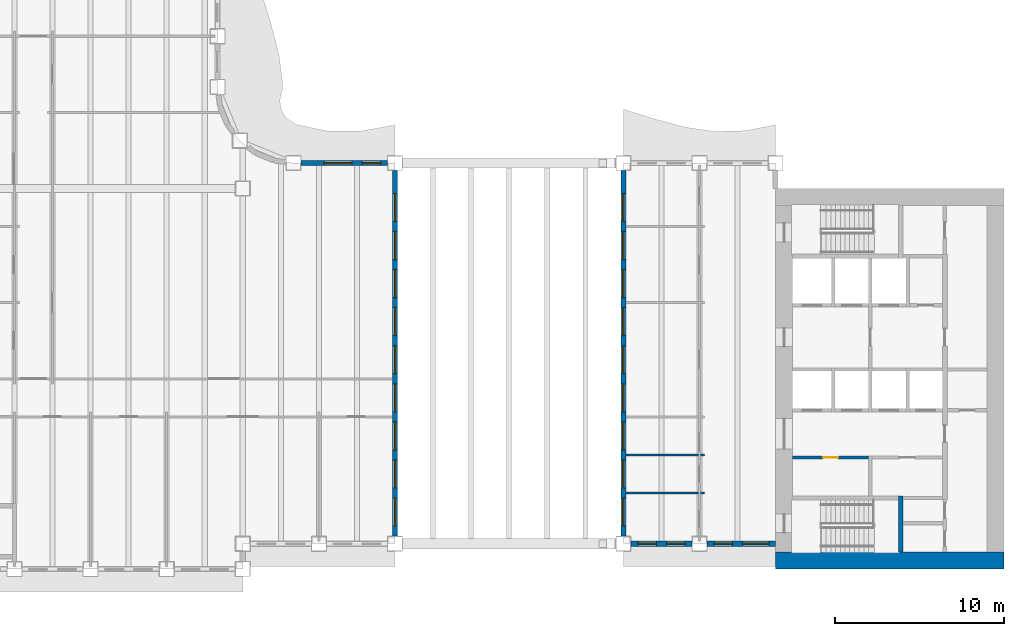
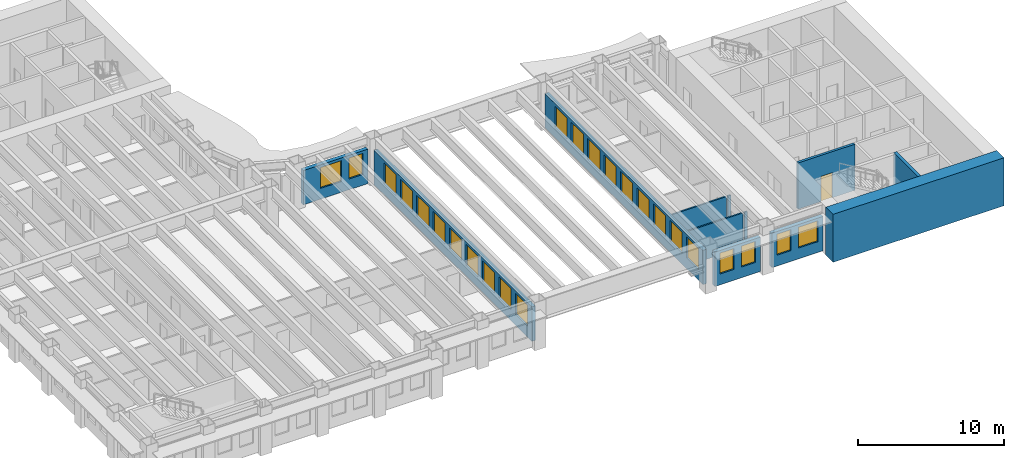
# One storey, part 5 of 13: 24 windows, 12 walls, 1 door, 25 openings.
"""IFC4 building model written with IfcOpenShell, lengths in metres."""

from ifc_helpers import new_model, si_unit, direction, frame, frame_2d, origin, place, context, subcontext, project, spatial, rectangle, extrude, material, layer, layer_set, type_object, element, fill, save


model = new_model("IFC4")

# Units and contexts
model_context = context("Model", 3, precision=1e-05, world=origin(), true_north=direction((0.0, 1.0)))
body_context = subcontext(model_context, "Body", "Model", "MODEL_VIEW")
ifc_project = project(units=[si_unit("LENGTHUNIT", "METRE"), si_unit("AREAUNIT", "SQUARE_METRE"), si_unit("VOLUMEUNIT", "CUBIC_METRE"), si_unit("PLANEANGLEUNIT", "RADIAN"), si_unit("MASSUNIT", "GRAM", prefix="KILO")], contexts=[model_context])

# Site, building, storey
site_placement = place(None, origin())
site = spatial("IfcSite", under=ifc_project, at=site_placement, CompositionType="ELEMENT")
building_placement = place(site_placement, origin())
building = spatial("IfcBuilding", under=site, at=building_placement, Name="Sennacour Bend Tower", CompositionType="ELEMENT")
storey_placement = place(building_placement, frame((0.0, 0.0, 147.0)))
storey = spatial("IfcBuildingStorey", under=building, at=storey_placement, Name="L33", CompositionType="ELEMENT", Elevation=147.0)

# Walls
ifc_material_1 = material(Name="Concrete C60/75", Category="concrete")
ifc_layer_1 = layer(ifc_material_1, 1.0, Name="Concrete C60/75", Category="concrete")
ifc_layer_set_1 = layer_set([ifc_layer_1], Name="Concrete C60/75")
wall_type_1 = type_object("IfcWallType", Name="Core wall 1000 C60/75", PredefinedType="SHEAR", material=ifc_layer_set_1)
wall_1_placement = place(storey_placement, frame((67.5, 0.5, -0.14990234375), z_axis=(0.0, 0.0, 1.0), x_axis=(-1.0, 0.0, 0.0)))
element("IfcWall", 1, at=wall_1_placement, inside=storey, type_object=wall_type_1, Name="Core A wall L33 S", PredefinedType="SHEAR", context=body_context, shape_type="SweptSolid", body=[
    extrude(rectangle(XDim=13.5, YDim=1.0, at=frame_2d((6.75, 0.0))), origin(), (0.0, 0.0, 1.0), 4.0),
])
ifc_material_2 = material(Name="Plasterboard partition on steel studs", Category="steel")
ifc_layer_2 = layer(ifc_material_2, 0.1201171875, Name="Plasterboard partition on steel studs", Category="steel")
ifc_layer_set_2 = layer_set([ifc_layer_2], Name="Plasterboard partition on steel studs")
wall_type_2 = type_object("IfcWallType", Name="Partition 120", PredefinedType="PARTITIONING", material=ifc_layer_set_2)
wall_2_placement = place(storey_placement, frame((45.14990234375, 4.5, 0.0), z_axis=(0.0, 0.0, 1.0), x_axis=(1.0, 0.0, 0.0)))
element("IfcWall", 2, at=wall_2_placement, inside=storey, type_object=wall_type_2, Name="P-L33-W053aa", PredefinedType="PARTITIONING", context=body_context, shape_type="SweptSolid", body=[
    extrude(rectangle(XDim=4.2900390625, YDim=0.1201171875, at=frame_2d((2.14501953125, 0.0))), origin(), (0.0, 0.0, 1.0), 2.8701171875),
])
wall_3_placement = place(storey_placement, frame((49.56005859375, 4.5, 0.0), z_axis=(0.0, 0.0, 1.0), x_axis=(1.0, 0.0, 0.0)))
element("IfcWall", 3, at=wall_3_placement, inside=storey, type_object=wall_type_2, Name="P-L33-W053ab", PredefinedType="PARTITIONING", context=body_context, shape_type="SweptSolid", body=[
    extrude(rectangle(XDim=0.239990234375, YDim=0.1201171875, at=frame_2d((0.1201171875, 0.0))), origin(), (0.0, 0.0, 1.0), 2.8701171875),
])
wall_4_placement = place(storey_placement, frame((45.14990234375, 6.75, 0.0), z_axis=(0.0, 0.0, 1.0), x_axis=(1.0, 0.0, 0.0)))
element("IfcWall", 4, at=wall_4_placement, inside=storey, type_object=wall_type_2, Name="P-L33-W055aa", PredefinedType="PARTITIONING", context=body_context, shape_type="SweptSolid", body=[
    extrude(rectangle(XDim=4.2900390625, YDim=0.1201171875, at=frame_2d((2.14501953125, 0.0))), origin(), (0.0, 0.0, 1.0), 2.8701171875),
])
wall_5_placement = place(storey_placement, frame((49.56005859375, 6.75, 0.0), z_axis=(0.0, 0.0, 1.0), x_axis=(1.0, 0.0, 0.0)))
element("IfcWall", 5, at=wall_5_placement, inside=storey, type_object=wall_type_2, Name="P-L33-W055ab", PredefinedType="PARTITIONING", context=body_context, shape_type="SweptSolid", body=[
    extrude(rectangle(XDim=0.239990234375, YDim=0.1201171875, at=frame_2d((0.1201171875, 0.0))), origin(), (0.0, 0.0, 1.0), 2.8701171875),
])

# Wall, opening, door
ifc_material_3 = material(Name="Fire-rated plasterboard partition on steel studs", Category="steel")
ifc_layer_3 = layer(ifc_material_3, 0.199951171875, Name="Fire-rated plasterboard partition on steel studs", Category="steel")
ifc_layer_set_3 = layer_set([ifc_layer_3], Name="Fire-rated plasterboard partition on steel studs")
wall_type_3 = type_object("IfcWallType", Name="Rated partition 200", PredefinedType="PARTITIONING", material=ifc_layer_set_3)
wall_6_placement = place(storey_placement, frame((55.0, 6.60009765625, 0.0), z_axis=(0.0, 0.0, 1.0), x_axis=(1.0, 0.0, 0.0)))
wall_6 = element("IfcWall", 6, at=wall_6_placement, inside=storey, type_object=wall_type_3, Name="P-L33-W054a", PredefinedType="PARTITIONING", context=body_context, shape_type="SweptSolid", body=[
    extrude(rectangle(XDim=4.5, YDim=0.199951171875, at=frame_2d((2.25, 0.0))), origin(), (0.0, 0.0, 1.0), 3.85009765625),
])
opening_1_placement = place(wall_6_placement, frame((1.800048828125, 0.0, 0.0)))
opening_1 = element("IfcOpeningElement", 7, at=opening_1_placement, cuts=wall_6, Name="Opening SV", PredefinedType="OPENING", context=body_context, shape_type="SweptSolid", body=[
    extrude(rectangle(XDim=0.89990234375, YDim=2.10009765625, at=frame_2d((0.449951171875, 1.050048828125))), frame((0.0, 0.10986328125, 0.0), z_axis=(0.0, -1.0, 0.0), x_axis=(1.0, 0.0, 0.0)), (0.0, 0.0, 1.0), 0.219970703125),
])
ifc_material_4 = material(Name="Painted steel", Category="steel")
door_type = type_object("IfcDoorType", Name="DR-SERVICE-900", OperationType="NOTDEFINED", PredefinedType="DOOR", material=ifc_material_4)
door_placement = place(opening_1_placement, origin())
door = element("IfcDoor", 8, at=door_placement, inside=storey, type_object=door_type, Name="Door", OperationType="SINGLE_SWING_LEFT", OverallHeight=2.10009765625, OverallWidth=0.89990234375, PredefinedType="DOOR", context=body_context, shape_type="SweptSolid", body=[
    extrude(rectangle(XDim=0.89990234375, YDim=2.10009765625, at=frame_2d((0.449951171875, 1.050048828125))), frame((0.0, 0.02490234375, 0.0), z_axis=(0.0, -1.0, 0.0), x_axis=(1.0, 0.0, 0.0)), (0.0, 0.0, 1.0), 0.050048828125),
])
fill(opening_1, door)

# Wall, openings, windows
ifc_material_5 = material(Name="Warm limestone cladding", Category="masonry")
ifc_layer_4 = layer(ifc_material_5, 0.050048828125, Name="Warm limestone cladding", Category="masonry")
ifc_material_6 = material(Name="Precast concrete C40/50", Category="concrete")
ifc_layer_5 = layer(ifc_material_6, 0.25, Name="Precast concrete C40/50", Category="concrete")
ifc_layer_set_4 = layer_set([ifc_layer_4, ifc_layer_5], Name="Precast concrete C40/50 with limestone cladding")
wall_type_4 = type_object("IfcWallType", Name="STONE-CLAD PRECAST SPANDREL 300", PredefinedType="STANDARD", material=ifc_layer_set_4)
wall_7_placement = place(storey_placement, frame((45.449951171875, 1.5, 0.0), z_axis=(0.0, 0.0, 1.0), x_axis=(1.0, 0.0, 0.0)))
wall_7 = element("IfcWall", 9, at=wall_7_placement, inside=storey, type_object=wall_type_4, Name="Stone spandrel and pier wall L33 00.00", PredefinedType="STANDARD", context=body_context, shape_type="SweptSolid", body=[
    extrude(rectangle(XDim=3.60009765625, YDim=0.300048828125, at=frame_2d((1.800048828125, 0.0))), origin(), (0.0, 0.0, 1.0), 2.8701171875),
])
opening_2_placement = place(wall_7_placement, frame((0.39990234375, 0.0, 0.89990234375)))
opening_2 = element("IfcOpeningElement", 10, at=opening_2_placement, cuts=wall_7, Name="Opening W17", PredefinedType="OPENING", context=body_context, shape_type="SweptSolid", body=[
    extrude(rectangle(XDim=1.10009765625, YDim=1.75, at=frame_2d((0.550048828125, 0.875))), frame((0.0, 0.16015625, 0.0), z_axis=(0.0, -1.0, 0.0), x_axis=(1.0, 0.0, 0.0)), (0.0, 0.0, 1.0), 0.320068359375),
])
opening_3_placement = place(wall_7_placement, frame((2.10009765625, 0.0, 0.89990234375)))
opening_3 = element("IfcOpeningElement", 11, at=opening_3_placement, cuts=wall_7, Name="Opening W17", PredefinedType="OPENING", context=body_context, shape_type="SweptSolid", body=[
    extrude(rectangle(XDim=1.10009765625, YDim=1.75, at=frame_2d((0.550048828125, 0.875))), frame((0.0, 0.16015625, 0.0), z_axis=(0.0, -1.0, 0.0), x_axis=(1.0, 0.0, 0.0)), (0.0, 0.0, 1.0), 0.320068359375),
])
ifc_material_7 = material(Name="Clear low-emissivity glass", Category="glass")
window_type_1 = type_object("IfcWindowType", Name="WIN-RIBBON-1100x1750", PartitioningType="SINGLE_PANEL", PredefinedType="WINDOW", material=ifc_material_7)
window_1_placement = place(opening_2_placement, origin())
window_1 = element("IfcWindow", 12, at=window_1_placement, inside=storey, type_object=window_type_1, Name="Ribbon window L33 00.00.0", OverallHeight=1.75, OverallWidth=1.10009765625, PartitioningType="SINGLE_PANEL", PredefinedType="WINDOW", context=body_context, shape_type="SweptSolid", body=[
    extrude(rectangle(XDim=1.10009765625, YDim=1.75, at=frame_2d((0.550048828125, 0.875))), frame((0.0, 0.030029296875, 0.0), z_axis=(0.0, -1.0, 0.0), x_axis=(1.0, 0.0, 0.0)), (0.0, 0.0, 1.0), 0.06005859375),
])
fill(opening_2, window_1)
window_2_placement = place(opening_3_placement, origin())
window_2 = element("IfcWindow", 13, at=window_2_placement, inside=storey, type_object=window_type_1, Name="Ribbon window L33 00.00.1", OverallHeight=1.75, OverallWidth=1.10009765625, PartitioningType="SINGLE_PANEL", PredefinedType="WINDOW", context=body_context, shape_type="SweptSolid", body=[
    extrude(rectangle(XDim=1.10009765625, YDim=1.75, at=frame_2d((0.550048828125, 0.875))), frame((0.0, 0.030029296875, 0.0), z_axis=(0.0, -1.0, 0.0), x_axis=(1.0, 0.0, 0.0)), (0.0, 0.0, 1.0), 0.06005859375),
])
fill(opening_3, window_2)

wall_8_placement = place(storey_placement, frame((49.949951171875, 1.5, 0.0), z_axis=(0.0, 0.0, 1.0), x_axis=(1.0, 0.0, 0.0)))
wall_8 = element("IfcWall", 14, at=wall_8_placement, inside=storey, type_object=wall_type_4, Name="Stone spandrel and pier wall L33 00.01", PredefinedType="STANDARD", context=body_context, shape_type="SweptSolid", body=[
    extrude(rectangle(XDim=4.050048828125, YDim=0.300048828125, at=frame_2d((2.02490234375, 0.0))), origin(), (0.0, 0.0, 1.0), 2.8701171875),
])
opening_4_placement = place(wall_8_placement, frame((0.39990234375, 0.0, 0.89990234375)))
opening_4 = element("IfcOpeningElement", 15, at=opening_4_placement, cuts=wall_8, Name="Opening W17", PredefinedType="OPENING", context=body_context, shape_type="SweptSolid", body=[
    extrude(rectangle(XDim=1.10009765625, YDim=1.75, at=frame_2d((0.550048828125, 0.875))), frame((0.0, 0.16015625, 0.0), z_axis=(0.0, -1.0, 0.0), x_axis=(1.0, 0.0, 0.0)), (0.0, 0.0, 1.0), 0.320068359375),
])
opening_5_placement = place(wall_8_placement, frame((2.10009765625, 0.0, 0.89990234375)))
opening_5 = element("IfcOpeningElement", 16, at=opening_5_placement, cuts=wall_8, Name="Opening W12", PredefinedType="OPENING", context=body_context, shape_type="SweptSolid", body=[
    extrude(rectangle(XDim=1.550048828125, YDim=1.75, at=frame_2d((0.77490234375, 0.875))), frame((0.0, 0.16015625, 0.0), z_axis=(0.0, -1.0, 0.0), x_axis=(1.0, 0.0, 0.0)), (0.0, 0.0, 1.0), 0.320068359375),
])
window_3_placement = place(opening_4_placement, origin())
window_3 = element("IfcWindow", 17, at=window_3_placement, inside=storey, type_object=window_type_1, Name="Ribbon window L33 00.01.0", OverallHeight=1.75, OverallWidth=1.10009765625, PartitioningType="SINGLE_PANEL", PredefinedType="WINDOW", context=body_context, shape_type="SweptSolid", body=[
    extrude(rectangle(XDim=1.10009765625, YDim=1.75, at=frame_2d((0.550048828125, 0.875))), frame((0.0, 0.030029296875, 0.0), z_axis=(0.0, -1.0, 0.0), x_axis=(1.0, 0.0, 0.0)), (0.0, 0.0, 1.0), 0.06005859375),
])
fill(opening_4, window_3)
window_type_2 = type_object("IfcWindowType", Name="WIN-RIBBON-1550x1750", PartitioningType="SINGLE_PANEL", PredefinedType="WINDOW", material=ifc_material_7)
window_4_placement = place(opening_5_placement, origin())
window_4 = element("IfcWindow", 18, at=window_4_placement, inside=storey, type_object=window_type_2, Name="Ribbon window L33 00.01.1", OverallHeight=1.75, OverallWidth=1.550048828125, PartitioningType="SINGLE_PANEL", PredefinedType="WINDOW", context=body_context, shape_type="SweptSolid", body=[
    extrude(rectangle(XDim=1.550048828125, YDim=1.75, at=frame_2d((0.77490234375, 0.875))), frame((0.0, 0.030029296875, 0.0), z_axis=(0.0, -1.0, 0.0), x_axis=(1.0, 0.0, 0.0)), (0.0, 0.0, 1.0), 0.06005859375),
])
fill(opening_5, window_4)

wall_9_placement = place(storey_placement, frame((45.0, 23.550048828125, 0.0), z_axis=(0.0, 0.0, 1.0), x_axis=(0.0, -1.0, 0.0)))
wall_9 = element("IfcWall", 19, at=wall_9_placement, inside=storey, type_object=wall_type_4, Name="Stone spandrel and pier wall L33 07.00", PredefinedType="STANDARD", context=body_context, shape_type="SweptSolid", body=[
    extrude(rectangle(XDim=21.60009765625, YDim=0.300048828125, at=frame_2d((10.800048828125, 0.0))), origin(), (0.0, 0.0, 1.0), 2.8701171875),
])
opening_6_placement = place(wall_9_placement, frame((1.35009765625, 0.0, 0.89990234375)))
opening_6 = element("IfcOpeningElement", 20, at=opening_6_placement, cuts=wall_9, Name="Opening W18", PredefinedType="OPENING", context=body_context, shape_type="SweptSolid", body=[
    extrude(rectangle(XDim=1.64990234375, YDim=1.75, at=frame_2d((0.824951171875, 0.875))), frame((0.0, 0.16015625, 0.0), z_axis=(0.0, -1.0, 0.0), x_axis=(1.0, 0.0, 0.0)), (0.0, 0.0, 1.0), 0.320068359375),
])
opening_7_placement = place(wall_9_placement, frame((3.60009765625, 0.0, 0.89990234375)))
opening_7 = element("IfcOpeningElement", 21, at=opening_7_placement, cuts=wall_9, Name="Opening W18", PredefinedType="OPENING", context=body_context, shape_type="SweptSolid", body=[
    extrude(rectangle(XDim=1.64990234375, YDim=1.75, at=frame_2d((0.824951171875, 0.875))), frame((0.0, 0.16015625, 0.0), z_axis=(0.0, -1.0, 0.0), x_axis=(1.0, 0.0, 0.0)), (0.0, 0.0, 1.0), 0.320068359375),
])
opening_8_placement = place(wall_9_placement, frame((5.85009765625, 0.0, 0.89990234375)))
opening_8 = element("IfcOpeningElement", 22, at=opening_8_placement, cuts=wall_9, Name="Opening W18", PredefinedType="OPENING", context=body_context, shape_type="SweptSolid", body=[
    extrude(rectangle(XDim=1.64990234375, YDim=1.75, at=frame_2d((0.824951171875, 0.875))), frame((0.0, 0.16015625, 0.0), z_axis=(0.0, -1.0, 0.0), x_axis=(1.0, 0.0, 0.0)), (0.0, 0.0, 1.0), 0.320068359375),
])
opening_9_placement = place(wall_9_placement, frame((8.10009765625, 0.0, 0.89990234375)))
opening_9 = element("IfcOpeningElement", 23, at=opening_9_placement, cuts=wall_9, Name="Opening W18", PredefinedType="OPENING", context=body_context, shape_type="SweptSolid", body=[
    extrude(rectangle(XDim=1.64990234375, YDim=1.75, at=frame_2d((0.824951171875, 0.875))), frame((0.0, 0.16015625, 0.0), z_axis=(0.0, -1.0, 0.0), x_axis=(1.0, 0.0, 0.0)), (0.0, 0.0, 1.0), 0.320068359375),
])
opening_10_placement = place(wall_9_placement, frame((10.35009765625, 0.0, 0.89990234375)))
opening_10 = element("IfcOpeningElement", 24, at=opening_10_placement, cuts=wall_9, Name="Opening W18", PredefinedType="OPENING", context=body_context, shape_type="SweptSolid", body=[
    extrude(rectangle(XDim=1.64990234375, YDim=1.75, at=frame_2d((0.824951171875, 0.875))), frame((0.0, 0.16015625, 0.0), z_axis=(0.0, -1.0, 0.0), x_axis=(1.0, 0.0, 0.0)), (0.0, 0.0, 1.0), 0.320068359375),
])
opening_11_placement = place(wall_9_placement, frame((12.60009765625, 0.0, 0.89990234375)))
opening_11 = element("IfcOpeningElement", 25, at=opening_11_placement, cuts=wall_9, Name="Opening W18", PredefinedType="OPENING", context=body_context, shape_type="SweptSolid", body=[
    extrude(rectangle(XDim=1.64990234375, YDim=1.75, at=frame_2d((0.824951171875, 0.875))), frame((0.0, 0.16015625, 0.0), z_axis=(0.0, -1.0, 0.0), x_axis=(1.0, 0.0, 0.0)), (0.0, 0.0, 1.0), 0.320068359375),
])
opening_12_placement = place(wall_9_placement, frame((14.85009765625, 0.0, 0.89990234375)))
opening_12 = element("IfcOpeningElement", 26, at=opening_12_placement, cuts=wall_9, Name="Opening W18", PredefinedType="OPENING", context=body_context, shape_type="SweptSolid", body=[
    extrude(rectangle(XDim=1.64990234375, YDim=1.75, at=frame_2d((0.824951171875, 0.875))), frame((0.0, 0.16015625, 0.0), z_axis=(0.0, -1.0, 0.0), x_axis=(1.0, 0.0, 0.0)), (0.0, 0.0, 1.0), 0.320068359375),
])
opening_13_placement = place(wall_9_placement, frame((17.10009765625, 0.0, 0.89990234375)))
opening_13 = element("IfcOpeningElement", 27, at=opening_13_placement, cuts=wall_9, Name="Opening W18", PredefinedType="OPENING", context=body_context, shape_type="SweptSolid", body=[
    extrude(rectangle(XDim=1.64990234375, YDim=1.75, at=frame_2d((0.824951171875, 0.875))), frame((0.0, 0.16015625, 0.0), z_axis=(0.0, -1.0, 0.0), x_axis=(1.0, 0.0, 0.0)), (0.0, 0.0, 1.0), 0.320068359375),
])
opening_14_placement = place(wall_9_placement, frame((19.35009765625, 0.0, 0.89990234375)))
opening_14 = element("IfcOpeningElement", 28, at=opening_14_placement, cuts=wall_9, Name="Opening W18", PredefinedType="OPENING", context=body_context, shape_type="SweptSolid", body=[
    extrude(rectangle(XDim=1.64990234375, YDim=1.75, at=frame_2d((0.824951171875, 0.875))), frame((0.0, 0.16015625, 0.0), z_axis=(0.0, -1.0, 0.0), x_axis=(1.0, 0.0, 0.0)), (0.0, 0.0, 1.0), 0.320068359375),
])
window_type_3 = type_object("IfcWindowType", Name="WIN-RIBBON-1650x1750", PartitioningType="SINGLE_PANEL", PredefinedType="WINDOW", material=ifc_material_7)
window_5_placement = place(opening_6_placement, origin())
window_5 = element("IfcWindow", 29, at=window_5_placement, inside=storey, type_object=window_type_3, Name="Ribbon window L33 07.00.0", OverallHeight=1.75, OverallWidth=1.64990234375, PartitioningType="SINGLE_PANEL", PredefinedType="WINDOW", context=body_context, shape_type="SweptSolid", body=[
    extrude(rectangle(XDim=1.64990234375, YDim=1.75, at=frame_2d((0.824951171875, 0.875))), frame((0.0, 0.030029296875, 0.0), z_axis=(0.0, -1.0, 0.0), x_axis=(1.0, 0.0, 0.0)), (0.0, 0.0, 1.0), 0.06005859375),
])
fill(opening_6, window_5)
window_6_placement = place(opening_7_placement, origin())
window_6 = element("IfcWindow", 30, at=window_6_placement, inside=storey, type_object=window_type_3, Name="Ribbon window L33 07.00.1", OverallHeight=1.75, OverallWidth=1.64990234375, PartitioningType="SINGLE_PANEL", PredefinedType="WINDOW", context=body_context, shape_type="SweptSolid", body=[
    extrude(rectangle(XDim=1.64990234375, YDim=1.75, at=frame_2d((0.824951171875, 0.875))), frame((0.0, 0.030029296875, 0.0), z_axis=(0.0, -1.0, 0.0), x_axis=(1.0, 0.0, 0.0)), (0.0, 0.0, 1.0), 0.06005859375),
])
fill(opening_7, window_6)
window_7_placement = place(opening_8_placement, origin())
window_7 = element("IfcWindow", 31, at=window_7_placement, inside=storey, type_object=window_type_3, Name="Ribbon window L33 07.00.2", OverallHeight=1.75, OverallWidth=1.64990234375, PartitioningType="SINGLE_PANEL", PredefinedType="WINDOW", context=body_context, shape_type="SweptSolid", body=[
    extrude(rectangle(XDim=1.64990234375, YDim=1.75, at=frame_2d((0.824951171875, 0.875))), frame((0.0, 0.030029296875, 0.0), z_axis=(0.0, -1.0, 0.0), x_axis=(1.0, 0.0, 0.0)), (0.0, 0.0, 1.0), 0.06005859375),
])
fill(opening_8, window_7)
window_8_placement = place(opening_9_placement, origin())
window_8 = element("IfcWindow", 32, at=window_8_placement, inside=storey, type_object=window_type_3, Name="Ribbon window L33 07.00.3", OverallHeight=1.75, OverallWidth=1.64990234375, PartitioningType="SINGLE_PANEL", PredefinedType="WINDOW", context=body_context, shape_type="SweptSolid", body=[
    extrude(rectangle(XDim=1.64990234375, YDim=1.75, at=frame_2d((0.824951171875, 0.875))), frame((0.0, 0.030029296875, 0.0), z_axis=(0.0, -1.0, 0.0), x_axis=(1.0, 0.0, 0.0)), (0.0, 0.0, 1.0), 0.06005859375),
])
fill(opening_9, window_8)
window_9_placement = place(opening_10_placement, origin())
window_9 = element("IfcWindow", 33, at=window_9_placement, inside=storey, type_object=window_type_3, Name="Ribbon window L33 07.00.4", OverallHeight=1.75, OverallWidth=1.64990234375, PartitioningType="SINGLE_PANEL", PredefinedType="WINDOW", context=body_context, shape_type="SweptSolid", body=[
    extrude(rectangle(XDim=1.64990234375, YDim=1.75, at=frame_2d((0.824951171875, 0.875))), frame((0.0, 0.030029296875, 0.0), z_axis=(0.0, -1.0, 0.0), x_axis=(1.0, 0.0, 0.0)), (0.0, 0.0, 1.0), 0.06005859375),
])
fill(opening_10, window_9)
window_10_placement = place(opening_11_placement, origin())
window_10 = element("IfcWindow", 34, at=window_10_placement, inside=storey, type_object=window_type_3, Name="Ribbon window L33 07.00.5", OverallHeight=1.75, OverallWidth=1.64990234375, PartitioningType="SINGLE_PANEL", PredefinedType="WINDOW", context=body_context, shape_type="SweptSolid", body=[
    extrude(rectangle(XDim=1.64990234375, YDim=1.75, at=frame_2d((0.824951171875, 0.875))), frame((0.0, 0.030029296875, 0.0), z_axis=(0.0, -1.0, 0.0), x_axis=(1.0, 0.0, 0.0)), (0.0, 0.0, 1.0), 0.06005859375),
])
fill(opening_11, window_10)
window_11_placement = place(opening_12_placement, origin())
window_11 = element("IfcWindow", 35, at=window_11_placement, inside=storey, type_object=window_type_3, Name="Ribbon window L33 07.00.6", OverallHeight=1.75, OverallWidth=1.64990234375, PartitioningType="SINGLE_PANEL", PredefinedType="WINDOW", context=body_context, shape_type="SweptSolid", body=[
    extrude(rectangle(XDim=1.64990234375, YDim=1.75, at=frame_2d((0.824951171875, 0.875))), frame((0.0, 0.030029296875, 0.0), z_axis=(0.0, -1.0, 0.0), x_axis=(1.0, 0.0, 0.0)), (0.0, 0.0, 1.0), 0.06005859375),
])
fill(opening_12, window_11)
window_12_placement = place(opening_13_placement, origin())
window_12 = element("IfcWindow", 36, at=window_12_placement, inside=storey, type_object=window_type_3, Name="Ribbon window L33 07.00.7", OverallHeight=1.75, OverallWidth=1.64990234375, PartitioningType="SINGLE_PANEL", PredefinedType="WINDOW", context=body_context, shape_type="SweptSolid", body=[
    extrude(rectangle(XDim=1.64990234375, YDim=1.75, at=frame_2d((0.824951171875, 0.875))), frame((0.0, 0.030029296875, 0.0), z_axis=(0.0, -1.0, 0.0), x_axis=(1.0, 0.0, 0.0)), (0.0, 0.0, 1.0), 0.06005859375),
])
fill(opening_13, window_12)
window_13_placement = place(opening_14_placement, origin())
window_13 = element("IfcWindow", 37, at=window_13_placement, inside=storey, type_object=window_type_3, Name="Ribbon window L33 07.00.8", OverallHeight=1.75, OverallWidth=1.64990234375, PartitioningType="SINGLE_PANEL", PredefinedType="WINDOW", context=body_context, shape_type="SweptSolid", body=[
    extrude(rectangle(XDim=1.64990234375, YDim=1.75, at=frame_2d((0.824951171875, 0.875))), frame((0.0, 0.030029296875, 0.0), z_axis=(0.0, -1.0, 0.0), x_axis=(1.0, 0.0, 0.0)), (0.0, 0.0, 1.0), 0.06005859375),
])
fill(opening_14, window_13)

wall_10_placement = place(storey_placement, frame((31.050048828125, 24.0, 0.0), z_axis=(0.0, 0.0, 1.0), x_axis=(-1.0, 0.0, 0.0)))
wall_10 = element("IfcWall", 38, at=wall_10_placement, inside=storey, type_object=wall_type_4, Name="Stone spandrel and pier wall L33 08.00", PredefinedType="STANDARD", context=body_context, shape_type="SweptSolid", body=[
    extrude(rectangle(XDim=5.10009765625, YDim=0.300048828125, at=frame_2d((2.550048828125, 0.0))), origin(), (0.0, 0.0, 1.0), 2.8701171875),
])
opening_15_placement = place(wall_10_placement, frame((0.39990234375, 0.0, 0.89990234375)))
opening_15 = element("IfcOpeningElement", 39, at=opening_15_placement, cuts=wall_10, Name="Opening W17", PredefinedType="OPENING", context=body_context, shape_type="SweptSolid", body=[
    extrude(rectangle(XDim=1.10009765625, YDim=1.75, at=frame_2d((0.550048828125, 0.875))), frame((0.0, 0.16015625, 0.0), z_axis=(0.0, -1.0, 0.0), x_axis=(1.0, 0.0, 0.0)), (0.0, 0.0, 1.0), 0.320068359375),
])
opening_16_placement = place(wall_10_placement, frame((2.10009765625, 0.0, 0.89990234375)))
opening_16 = element("IfcOpeningElement", 40, at=opening_16_placement, cuts=wall_10, Name="Opening W18", PredefinedType="OPENING", context=body_context, shape_type="SweptSolid", body=[
    extrude(rectangle(XDim=1.64990234375, YDim=1.75, at=frame_2d((0.824951171875, 0.875))), frame((0.0, 0.16015625, 0.0), z_axis=(0.0, -1.0, 0.0), x_axis=(1.0, 0.0, 0.0)), (0.0, 0.0, 1.0), 0.320068359375),
])
window_14_placement = place(opening_15_placement, origin())
window_14 = element("IfcWindow", 41, at=window_14_placement, inside=storey, type_object=window_type_1, Name="Ribbon window L33 08.00.0", OverallHeight=1.75, OverallWidth=1.10009765625, PartitioningType="SINGLE_PANEL", PredefinedType="WINDOW", context=body_context, shape_type="SweptSolid", body=[
    extrude(rectangle(XDim=1.10009765625, YDim=1.75, at=frame_2d((0.550048828125, 0.875))), frame((0.0, 0.030029296875, 0.0), z_axis=(0.0, -1.0, 0.0), x_axis=(1.0, 0.0, 0.0)), (0.0, 0.0, 1.0), 0.06005859375),
])
fill(opening_15, window_14)
window_15_placement = place(opening_16_placement, origin())
window_15 = element("IfcWindow", 42, at=window_15_placement, inside=storey, type_object=window_type_3, Name="Ribbon window L33 08.00.1", OverallHeight=1.75, OverallWidth=1.64990234375, PartitioningType="SINGLE_PANEL", PredefinedType="WINDOW", context=body_context, shape_type="SweptSolid", body=[
    extrude(rectangle(XDim=1.64990234375, YDim=1.75, at=frame_2d((0.824951171875, 0.875))), frame((0.0, 0.030029296875, 0.0), z_axis=(0.0, -1.0, 0.0), x_axis=(1.0, 0.0, 0.0)), (0.0, 0.0, 1.0), 0.06005859375),
])
fill(opening_16, window_15)

wall_11_placement = place(storey_placement, frame((31.5, 1.949951171875, 0.0), z_axis=(0.0, 0.0, 1.0), x_axis=(0.0, 1.0, 0.0)))
wall_11 = element("IfcWall", 43, at=wall_11_placement, inside=storey, type_object=wall_type_4, Name="Stone spandrel and pier wall L33 27.00", PredefinedType="STANDARD", context=body_context, shape_type="SweptSolid", body=[
    extrude(rectangle(XDim=21.60009765625, YDim=0.300048828125, at=frame_2d((10.800048828125, 0.0))), origin(), (0.0, 0.0, 1.0), 2.8701171875),
])
opening_17_placement = place(wall_11_placement, frame((0.60009765625, 0.0, 0.89990234375)))
opening_17 = element("IfcOpeningElement", 44, at=opening_17_placement, cuts=wall_11, Name="Opening W18", PredefinedType="OPENING", context=body_context, shape_type="SweptSolid", body=[
    extrude(rectangle(XDim=1.64990234375, YDim=1.75, at=frame_2d((0.824951171875, 0.875))), frame((0.0, 0.16015625, 0.0), z_axis=(0.0, -1.0, 0.0), x_axis=(1.0, 0.0, 0.0)), (0.0, 0.0, 1.0), 0.320068359375),
])
opening_18_placement = place(wall_11_placement, frame((2.85009765625, 0.0, 0.89990234375)))
opening_18 = element("IfcOpeningElement", 45, at=opening_18_placement, cuts=wall_11, Name="Opening W18", PredefinedType="OPENING", context=body_context, shape_type="SweptSolid", body=[
    extrude(rectangle(XDim=1.64990234375, YDim=1.75, at=frame_2d((0.824951171875, 0.875))), frame((0.0, 0.16015625, 0.0), z_axis=(0.0, -1.0, 0.0), x_axis=(1.0, 0.0, 0.0)), (0.0, 0.0, 1.0), 0.320068359375),
])
opening_19_placement = place(wall_11_placement, frame((5.10009765625, 0.0, 0.89990234375)))
opening_19 = element("IfcOpeningElement", 46, at=opening_19_placement, cuts=wall_11, Name="Opening W18", PredefinedType="OPENING", context=body_context, shape_type="SweptSolid", body=[
    extrude(rectangle(XDim=1.64990234375, YDim=1.75, at=frame_2d((0.824951171875, 0.875))), frame((0.0, 0.16015625, 0.0), z_axis=(0.0, -1.0, 0.0), x_axis=(1.0, 0.0, 0.0)), (0.0, 0.0, 1.0), 0.320068359375),
])
opening_20_placement = place(wall_11_placement, frame((7.35009765625, 0.0, 0.89990234375)))
opening_20 = element("IfcOpeningElement", 47, at=opening_20_placement, cuts=wall_11, Name="Opening W18", PredefinedType="OPENING", context=body_context, shape_type="SweptSolid", body=[
    extrude(rectangle(XDim=1.64990234375, YDim=1.75, at=frame_2d((0.824951171875, 0.875))), frame((0.0, 0.16015625, 0.0), z_axis=(0.0, -1.0, 0.0), x_axis=(1.0, 0.0, 0.0)), (0.0, 0.0, 1.0), 0.320068359375),
])
opening_21_placement = place(wall_11_placement, frame((9.60009765625, 0.0, 0.89990234375)))
opening_21 = element("IfcOpeningElement", 48, at=opening_21_placement, cuts=wall_11, Name="Opening W18", PredefinedType="OPENING", context=body_context, shape_type="SweptSolid", body=[
    extrude(rectangle(XDim=1.64990234375, YDim=1.75, at=frame_2d((0.824951171875, 0.875))), frame((0.0, 0.16015625, 0.0), z_axis=(0.0, -1.0, 0.0), x_axis=(1.0, 0.0, 0.0)), (0.0, 0.0, 1.0), 0.320068359375),
])
opening_22_placement = place(wall_11_placement, frame((11.85009765625, 0.0, 0.89990234375)))
opening_22 = element("IfcOpeningElement", 49, at=opening_22_placement, cuts=wall_11, Name="Opening W18", PredefinedType="OPENING", context=body_context, shape_type="SweptSolid", body=[
    extrude(rectangle(XDim=1.64990234375, YDim=1.75, at=frame_2d((0.824951171875, 0.875))), frame((0.0, 0.16015625, 0.0), z_axis=(0.0, -1.0, 0.0), x_axis=(1.0, 0.0, 0.0)), (0.0, 0.0, 1.0), 0.320068359375),
])
opening_23_placement = place(wall_11_placement, frame((14.10009765625, 0.0, 0.89990234375)))
opening_23 = element("IfcOpeningElement", 50, at=opening_23_placement, cuts=wall_11, Name="Opening W18", PredefinedType="OPENING", context=body_context, shape_type="SweptSolid", body=[
    extrude(rectangle(XDim=1.64990234375, YDim=1.75, at=frame_2d((0.824951171875, 0.875))), frame((0.0, 0.16015625, 0.0), z_axis=(0.0, -1.0, 0.0), x_axis=(1.0, 0.0, 0.0)), (0.0, 0.0, 1.0), 0.320068359375),
])
opening_24_placement = place(wall_11_placement, frame((16.35009765625, 0.0, 0.89990234375)))
opening_24 = element("IfcOpeningElement", 51, at=opening_24_placement, cuts=wall_11, Name="Opening W18", PredefinedType="OPENING", context=body_context, shape_type="SweptSolid", body=[
    extrude(rectangle(XDim=1.64990234375, YDim=1.75, at=frame_2d((0.824951171875, 0.875))), frame((0.0, 0.16015625, 0.0), z_axis=(0.0, -1.0, 0.0), x_axis=(1.0, 0.0, 0.0)), (0.0, 0.0, 1.0), 0.320068359375),
])
opening_25_placement = place(wall_11_placement, frame((18.60009765625, 0.0, 0.89990234375)))
opening_25 = element("IfcOpeningElement", 52, at=opening_25_placement, cuts=wall_11, Name="Opening W18", PredefinedType="OPENING", context=body_context, shape_type="SweptSolid", body=[
    extrude(rectangle(XDim=1.64990234375, YDim=1.75, at=frame_2d((0.824951171875, 0.875))), frame((0.0, 0.16015625, 0.0), z_axis=(0.0, -1.0, 0.0), x_axis=(1.0, 0.0, 0.0)), (0.0, 0.0, 1.0), 0.320068359375),
])
window_16_placement = place(opening_17_placement, origin())
window_16 = element("IfcWindow", 53, at=window_16_placement, inside=storey, type_object=window_type_3, Name="Ribbon window L33 27.00.0", OverallHeight=1.75, OverallWidth=1.64990234375, PartitioningType="SINGLE_PANEL", PredefinedType="WINDOW", context=body_context, shape_type="SweptSolid", body=[
    extrude(rectangle(XDim=1.64990234375, YDim=1.75, at=frame_2d((0.824951171875, 0.875))), frame((0.0, 0.030029296875, 0.0), z_axis=(0.0, -1.0, 0.0), x_axis=(1.0, 0.0, 0.0)), (0.0, 0.0, 1.0), 0.06005859375),
])
fill(opening_17, window_16)
window_17_placement = place(opening_18_placement, origin())
window_17 = element("IfcWindow", 54, at=window_17_placement, inside=storey, type_object=window_type_3, Name="Ribbon window L33 27.00.1", OverallHeight=1.75, OverallWidth=1.64990234375, PartitioningType="SINGLE_PANEL", PredefinedType="WINDOW", context=body_context, shape_type="SweptSolid", body=[
    extrude(rectangle(XDim=1.64990234375, YDim=1.75, at=frame_2d((0.824951171875, 0.875))), frame((0.0, 0.030029296875, 0.0), z_axis=(0.0, -1.0, 0.0), x_axis=(1.0, 0.0, 0.0)), (0.0, 0.0, 1.0), 0.06005859375),
])
fill(opening_18, window_17)
window_18_placement = place(opening_19_placement, origin())
window_18 = element("IfcWindow", 55, at=window_18_placement, inside=storey, type_object=window_type_3, Name="Ribbon window L33 27.00.2", OverallHeight=1.75, OverallWidth=1.64990234375, PartitioningType="SINGLE_PANEL", PredefinedType="WINDOW", context=body_context, shape_type="SweptSolid", body=[
    extrude(rectangle(XDim=1.64990234375, YDim=1.75, at=frame_2d((0.824951171875, 0.875))), frame((0.0, 0.030029296875, 0.0), z_axis=(0.0, -1.0, 0.0), x_axis=(1.0, 0.0, 0.0)), (0.0, 0.0, 1.0), 0.06005859375),
])
fill(opening_19, window_18)
window_19_placement = place(opening_20_placement, origin())
window_19 = element("IfcWindow", 56, at=window_19_placement, inside=storey, type_object=window_type_3, Name="Ribbon window L33 27.00.3", OverallHeight=1.75, OverallWidth=1.64990234375, PartitioningType="SINGLE_PANEL", PredefinedType="WINDOW", context=body_context, shape_type="SweptSolid", body=[
    extrude(rectangle(XDim=1.64990234375, YDim=1.75, at=frame_2d((0.824951171875, 0.875))), frame((0.0, 0.030029296875, 0.0), z_axis=(0.0, -1.0, 0.0), x_axis=(1.0, 0.0, 0.0)), (0.0, 0.0, 1.0), 0.06005859375),
])
fill(opening_20, window_19)
window_20_placement = place(opening_21_placement, origin())
window_20 = element("IfcWindow", 57, at=window_20_placement, inside=storey, type_object=window_type_3, Name="Ribbon window L33 27.00.4", OverallHeight=1.75, OverallWidth=1.64990234375, PartitioningType="SINGLE_PANEL", PredefinedType="WINDOW", context=body_context, shape_type="SweptSolid", body=[
    extrude(rectangle(XDim=1.64990234375, YDim=1.75, at=frame_2d((0.824951171875, 0.875))), frame((0.0, 0.030029296875, 0.0), z_axis=(0.0, -1.0, 0.0), x_axis=(1.0, 0.0, 0.0)), (0.0, 0.0, 1.0), 0.06005859375),
])
fill(opening_21, window_20)
window_21_placement = place(opening_22_placement, origin())
window_21 = element("IfcWindow", 58, at=window_21_placement, inside=storey, type_object=window_type_3, Name="Ribbon window L33 27.00.5", OverallHeight=1.75, OverallWidth=1.64990234375, PartitioningType="SINGLE_PANEL", PredefinedType="WINDOW", context=body_context, shape_type="SweptSolid", body=[
    extrude(rectangle(XDim=1.64990234375, YDim=1.75, at=frame_2d((0.824951171875, 0.875))), frame((0.0, 0.030029296875, 0.0), z_axis=(0.0, -1.0, 0.0), x_axis=(1.0, 0.0, 0.0)), (0.0, 0.0, 1.0), 0.06005859375),
])
fill(opening_22, window_21)
window_22_placement = place(opening_23_placement, origin())
window_22 = element("IfcWindow", 59, at=window_22_placement, inside=storey, type_object=window_type_3, Name="Ribbon window L33 27.00.6", OverallHeight=1.75, OverallWidth=1.64990234375, PartitioningType="SINGLE_PANEL", PredefinedType="WINDOW", context=body_context, shape_type="SweptSolid", body=[
    extrude(rectangle(XDim=1.64990234375, YDim=1.75, at=frame_2d((0.824951171875, 0.875))), frame((0.0, 0.030029296875, 0.0), z_axis=(0.0, -1.0, 0.0), x_axis=(1.0, 0.0, 0.0)), (0.0, 0.0, 1.0), 0.06005859375),
])
fill(opening_23, window_22)
window_23_placement = place(opening_24_placement, origin())
window_23 = element("IfcWindow", 60, at=window_23_placement, inside=storey, type_object=window_type_3, Name="Ribbon window L33 27.00.7", OverallHeight=1.75, OverallWidth=1.64990234375, PartitioningType="SINGLE_PANEL", PredefinedType="WINDOW", context=body_context, shape_type="SweptSolid", body=[
    extrude(rectangle(XDim=1.64990234375, YDim=1.75, at=frame_2d((0.824951171875, 0.875))), frame((0.0, 0.030029296875, 0.0), z_axis=(0.0, -1.0, 0.0), x_axis=(1.0, 0.0, 0.0)), (0.0, 0.0, 1.0), 0.06005859375),
])
fill(opening_24, window_23)
window_24_placement = place(opening_25_placement, origin())
window_24 = element("IfcWindow", 61, at=window_24_placement, inside=storey, type_object=window_type_3, Name="Ribbon window L33 27.00.8", OverallHeight=1.75, OverallWidth=1.64990234375, PartitioningType="SINGLE_PANEL", PredefinedType="WINDOW", context=body_context, shape_type="SweptSolid", body=[
    extrude(rectangle(XDim=1.64990234375, YDim=1.75, at=frame_2d((0.824951171875, 0.875))), frame((0.0, 0.030029296875, 0.0), z_axis=(0.0, -1.0, 0.0), x_axis=(1.0, 0.0, 0.0)), (0.0, 0.0, 1.0), 0.06005859375),
])
fill(opening_25, window_24)

# Wall
ifc_layer_6 = layer(ifc_material_1, 0.25, Name="Concrete C60/75", Category="concrete")
ifc_layer_set_5 = layer_set([ifc_layer_6], Name="Concrete C60/75")
wall_type_5 = type_object("IfcWallType", Name="Stair wall 250", PredefinedType="SHEAR", material=ifc_layer_set_5)
wall_12_placement = place(storey_placement, frame((61.39990234375, 1.0, 0.0), z_axis=(0.0, 0.0, 1.0), x_axis=(0.0, 1.0, 0.0)))
element("IfcWall", 62, at=wall_12_placement, inside=storey, type_object=wall_type_5, Name="P-L33-W038", PredefinedType="SHEAR", context=body_context, shape_type="SweptSolid", body=[
    extrude(rectangle(XDim=3.324951171875, YDim=0.25, at=frame_2d((1.66259765625, 0.0))), origin(), (0.0, 0.0, 1.0), 3.85009765625),
])

save(model, "model.ifc")
